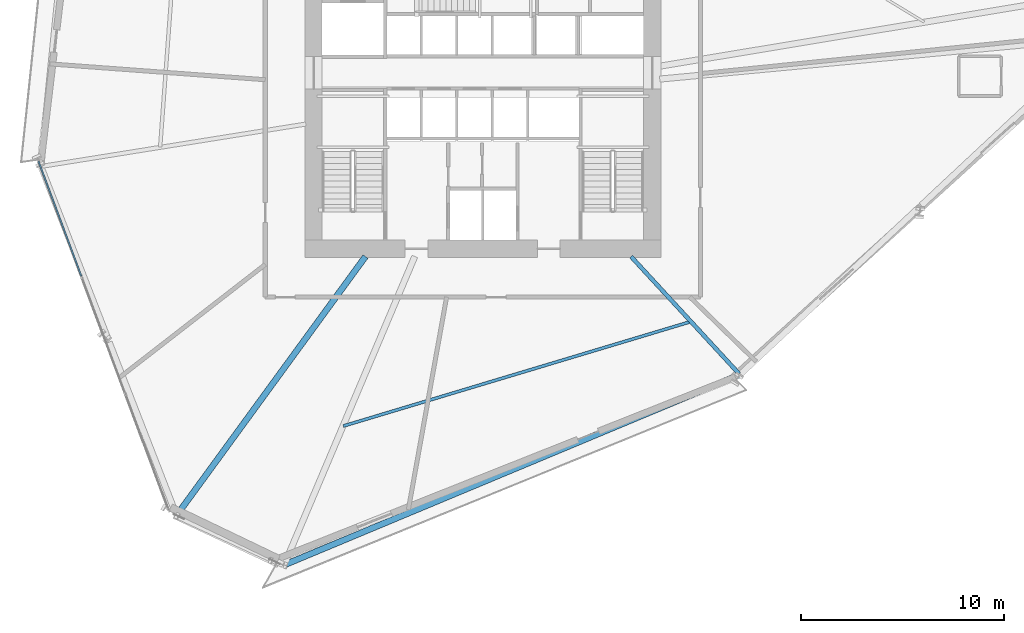
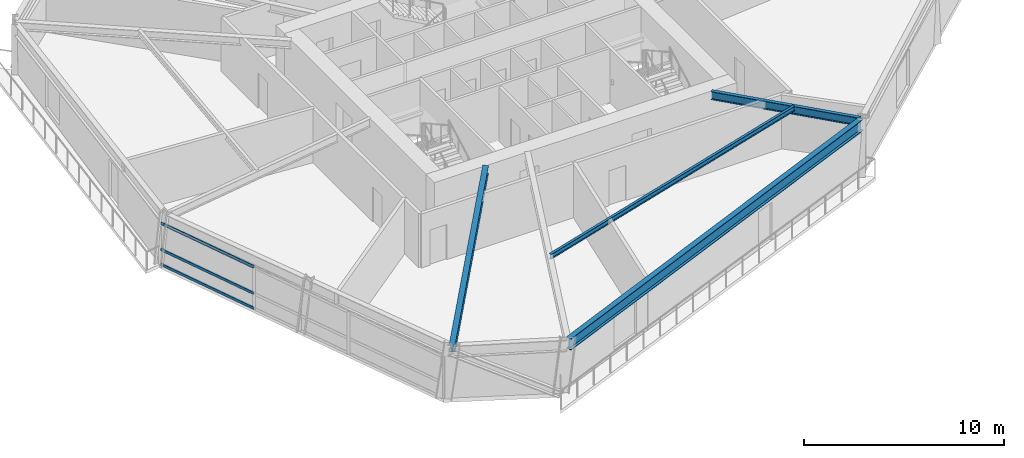
# One storey, part 5 of 21: 4 beams, 3 members, 1 element without a shape of its own.
"""IFC4 building model written with IfcOpenShell, lengths in metres."""

from ifc_helpers import new_model, si_unit, direction, frame, origin, origin_2d, place, context, subcontext, project, spatial, hollow_rectangle, i_section, extrude, source, transform, mapped, material, material_profile, profile_set, type_object, element, aggregate, save


model = new_model("IFC4")

# Units and contexts
model_context = context("Model", 3, precision=1e-05, world=origin(), true_north=direction((0.0, 1.0)))
body_context = subcontext(model_context, "Body", "Model", "MODEL_VIEW")
ifc_project = project(units=[si_unit("LENGTHUNIT", "METRE"), si_unit("AREAUNIT", "SQUARE_METRE"), si_unit("VOLUMEUNIT", "CUBIC_METRE"), si_unit("PLANEANGLEUNIT", "RADIAN"), si_unit("MASSUNIT", "GRAM", prefix="KILO")], contexts=[model_context])

# Site, building, storey
site_placement = place(None, origin())
site = spatial("IfcSite", under=ifc_project, at=site_placement, CompositionType="ELEMENT")
building_placement = place(site_placement, origin())
building = spatial("IfcBuilding", under=site, at=building_placement, Name="Olszyna Solenne Hotel", CompositionType="ELEMENT")
storey_placement = place(building_placement, frame((0.0, 0.0, 68.35009765625)))
storey = spatial("IfcBuildingStorey", under=building, at=storey_placement, Name="L17", CompositionType="ELEMENT", Elevation=68.35009765625)

# Beams
ifc_material_1 = material(Name="Steel S355J2", Category="steel")
ifc_material_profile_1 = material_profile(ifc_material_1, i_section(OverallWidth=0.300048828125, OverallDepth=0.699951171875, WebThickness=0.01708984375, FlangeThickness=0.031982421875, at=origin_2d()), Name="HEB 700", Category="load-bearing")
ifc_profile_set_1 = profile_set([ifc_material_profile_1], Name="Steel S355J2")
beam_type_1 = type_object("IfcBeamType", Name="BM-S1", PredefinedType="BEAM", material=ifc_profile_set_1)
shared_shape_1 = source(origin(), body_context, "Body", "SweptSolid", [
    extrude(i_section(OverallWidth=0.300048828125, OverallDepth=0.699951171875, WebThickness=0.01708984375, FlangeThickness=0.031982421875, at=origin_2d()), origin(), (0.0, 0.0, 1.0), 24.164306640625),
])
beam_1_placement = place(storey_placement, frame((28.287109375, 3.54833984375, 2.949951171875), z_axis=(0.922794197358, 0.385293225119, 0.0), x_axis=(-0.385293225119, 0.922794197358, 0.0)))
element("IfcBeam", 1, at=beam_1_placement, inside=storey, type_object=beam_type_1, Name="Perimeter spandrel beam BM-S1 B-L17-0533", PredefinedType="BEAM", context=body_context, shape_type="MappedRepresentation", body=[
    mapped(shared_shape_1, transform((0.0, 0.0, 0.0), x_axis=(1.0, 0.0, 0.0), y_axis=(0.0, 1.0, 0.0), z_axis=(0.0, 0.0, 1.0), scale=1.0)),
])
ifc_material_profile_2 = material_profile(ifc_material_1, i_section(OverallWidth=0.300048828125, OverallDepth=0.489990234375, WebThickness=0.011962890625, FlangeThickness=0.02294921875, at=origin_2d()), Name="HEA 500", Category="load-bearing")
ifc_profile_set_2 = profile_set([ifc_material_profile_2], Name="Steel S355J2")
beam_type_2 = type_object("IfcBeamType", Name="BM-G1", PredefinedType="BEAM", material=ifc_profile_set_2)
shared_shape_2 = source(origin(), body_context, "Body", "SweptSolid", [
    extrude(i_section(OverallWidth=0.300048828125, OverallDepth=0.489990234375, WebThickness=0.011962890625, FlangeThickness=0.02294921875, at=origin_2d()), origin(), (0.0, 0.0, 1.0), 15.69970703125),
])
beam_2_placement = place(storey_placement, frame((22.974853515625, 6.0078125, 3.054931640625), z_axis=(0.589428480719, 0.807820565545, 0.0), x_axis=(-0.807820565545, 0.589428480719, 0.0)))
element("IfcBeam", 2, at=beam_2_placement, inside=storey, type_object=beam_type_2, Name="Radial floor girder BM-G1 B-L17-0542", PredefinedType="BEAM", context=body_context, shape_type="MappedRepresentation", body=[
    mapped(shared_shape_2, transform((0.0, 0.0, 0.0), x_axis=(1.0, 0.0, 0.0), y_axis=(0.0, 1.0, 0.0), z_axis=(0.0, 0.0, 1.0), scale=1.0)),
])
ifc_material_profile_3 = material_profile(ifc_material_1, i_section(OverallWidth=0.199951171875, OverallDepth=0.5, WebThickness=0.01025390625, FlangeThickness=0.01611328125, at=origin_2d()), Name="IPE 500", Category="load-bearing")
ifc_profile_set_3 = profile_set([ifc_material_profile_3], Name="Steel S355J2")
beam_type_3 = type_object("IfcBeamType", Name="BM-F3", PredefinedType="BEAM", material=ifc_profile_set_3)
shared_shape_3 = source(origin(), body_context, "Body", "SweptSolid", [
    extrude(i_section(OverallWidth=0.199951171875, OverallDepth=0.5, WebThickness=0.01025390625, FlangeThickness=0.01611328125, at=origin_2d()), origin(), (0.0, 0.0, 1.0), 7.833740234375),
])
beam_3_placement = place(storey_placement, frame((50.600341796875, 12.92578125, 3.0498046875), z_axis=(-0.677626160528, 0.735406545094, 0.0), x_axis=(-0.735406545094, -0.677626160528, 0.0)))
element("IfcBeam", 3, at=beam_3_placement, inside=storey, type_object=beam_type_3, Name="Radial floor girder BM-F3 B-L17-0544", PredefinedType="BEAM", context=body_context, shape_type="MappedRepresentation", body=[
    mapped(shared_shape_3, transform((0.0, 0.0, 0.0), x_axis=(1.0, 0.0, 0.0), y_axis=(0.0, 1.0, 0.0), z_axis=(0.0, 0.0, 1.0), scale=1.0)),
])
ifc_material_profile_4 = material_profile(ifc_material_1, i_section(OverallWidth=0.14990234375, OverallDepth=0.300048828125, WebThickness=0.007080078125, FlangeThickness=0.0107421875, at=origin_2d()), Name="IPE 300", Category="load-bearing")
ifc_profile_set_4 = profile_set([ifc_material_profile_4], Name="Steel S355J2")
beam_type_4 = type_object("IfcBeamType", Name="JS-02", PredefinedType="JOIST", material=ifc_profile_set_4)
shared_shape_4 = source(origin(), body_context, "Body", "SweptSolid", [
    extrude(i_section(OverallWidth=0.14990234375, OverallDepth=0.300048828125, WebThickness=0.007080078125, FlangeThickness=0.0107421875, at=origin_2d()), origin(), (0.0, 0.0, 1.0), 17.827880859375),
])
beam_4_placement = place(storey_placement, frame((31.14111328125, 10.35791015625, 3.14990234375), z_axis=(0.957698796191, 0.28777250698, 0.0), x_axis=(-0.28777250698, 0.957698796191, 0.0)))
element("IfcBeam", 4, at=beam_4_placement, inside=storey, type_object=beam_type_4, Name="Secondary composite floor joist JS-02 B-L17-0549", PredefinedType="JOIST", context=body_context, shape_type="MappedRepresentation", body=[
    mapped(shared_shape_4, transform((0.0, 0.0, 0.0), x_axis=(1.0, 0.0, 0.0), y_axis=(0.0, 1.0, 0.0), z_axis=(0.0, 0.0, 1.0), scale=1.0)),
])

# Curtain wall, members
ifc_material_2 = material(Name="Anodised bronze aluminium", Category="aluminium")
curtain_wall_type = type_object("IfcCurtainWallType", Name="CW-SYS-2", PredefinedType="NOTDEFINED", material=ifc_material_2)
curtain_wall_placement = place(storey_placement, origin())
curtain_wall = element("IfcCurtainWall", 5, at=curtain_wall_placement, inside=storey, type_object=curtain_wall_type, Name="Unitised curtain wall CW-SYS-2 CW-L17-01", PredefinedType="NOTDEFINED")
ifc_material_profile_5 = material_profile(ifc_material_2, hollow_rectangle(XDim=0.074951171875, YDim=0.159912109375, WallThickness=0.00390625, at=origin_2d()), Name="TRAN 160x75x4", Category="load-bearing")
ifc_profile_set_5 = profile_set([ifc_material_profile_5], Name="Anodised bronze aluminium")
member_type = type_object("IfcMemberType", Name="CW-T1", PredefinedType="USERDEFINED", material=ifc_profile_set_5)
shared_shape_5 = source(origin(), body_context, "Body", "SweptSolid", [
    extrude(hollow_rectangle(XDim=0.074951171875, YDim=0.159912109375, WallThickness=0.00390625, at=origin_2d()), origin(), (0.0, 0.0, 1.0), 6.0322265625),
])
member_1_placement = place(storey_placement, frame((16.1494140625, 23.3798828125, 0.037353515625), z_axis=(0.350009910574, -0.936745996789, 0.0), x_axis=(0.936745996789, 0.350009910574, 0.0)))
member_1 = element("IfcMember", 6, at=member_1_placement, type_object=member_type, Name="Curtain-wall transom CW-T1 CT-L17-01-01", ObjectType="TRANSOM", PredefinedType="USERDEFINED", context=body_context, shape_type="MappedRepresentation", body=[
    mapped(shared_shape_5, transform((0.0, 0.0, 0.0), x_axis=(1.0, 0.0, 0.0), y_axis=(0.0, 1.0, 0.0), z_axis=(0.0, 0.0, 1.0), scale=1.0)),
])
member_2_placement = place(storey_placement, frame((16.1494140625, 23.3798828125, 0.949951171875), z_axis=(0.350009910574, -0.936745996789, 0.0), x_axis=(0.936745996789, 0.350009910574, 0.0)))
member_2 = element("IfcMember", 7, at=member_2_placement, type_object=member_type, Name="Curtain-wall transom CW-T1 CT-L17-01-02", ObjectType="TRANSOM", PredefinedType="USERDEFINED", context=body_context, shape_type="MappedRepresentation", body=[
    mapped(shared_shape_5, transform((0.0, 0.0, 0.0), x_axis=(1.0, 0.0, 0.0), y_axis=(0.0, 1.0, 0.0), z_axis=(0.0, 0.0, 1.0), scale=1.0)),
])
member_3_placement = place(storey_placement, frame((16.1494140625, 23.3798828125, 2.554443359375), z_axis=(0.350009910574, -0.936745996789, 0.0), x_axis=(0.936745996789, 0.350009910574, 0.0)))
member_3 = element("IfcMember", 8, at=member_3_placement, type_object=member_type, Name="Curtain-wall transom CW-T1 CT-L17-01-03", ObjectType="TRANSOM", PredefinedType="USERDEFINED", context=body_context, shape_type="MappedRepresentation", body=[
    mapped(shared_shape_5, transform((0.0, 0.0, 0.0), x_axis=(1.0, 0.0, 0.0), y_axis=(0.0, 1.0, 0.0), z_axis=(0.0, 0.0, 1.0), scale=1.0)),
])
aggregate(curtain_wall, [member_1, member_2, member_3])

save(model, "model.ifc")
